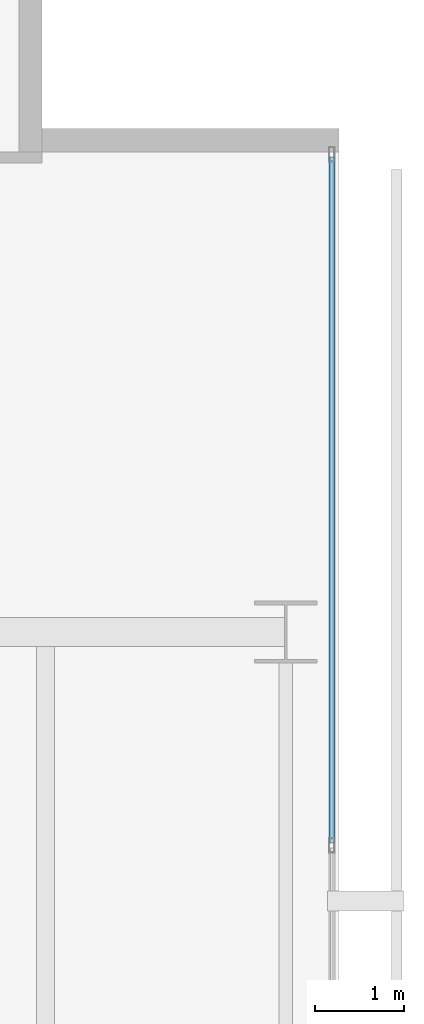
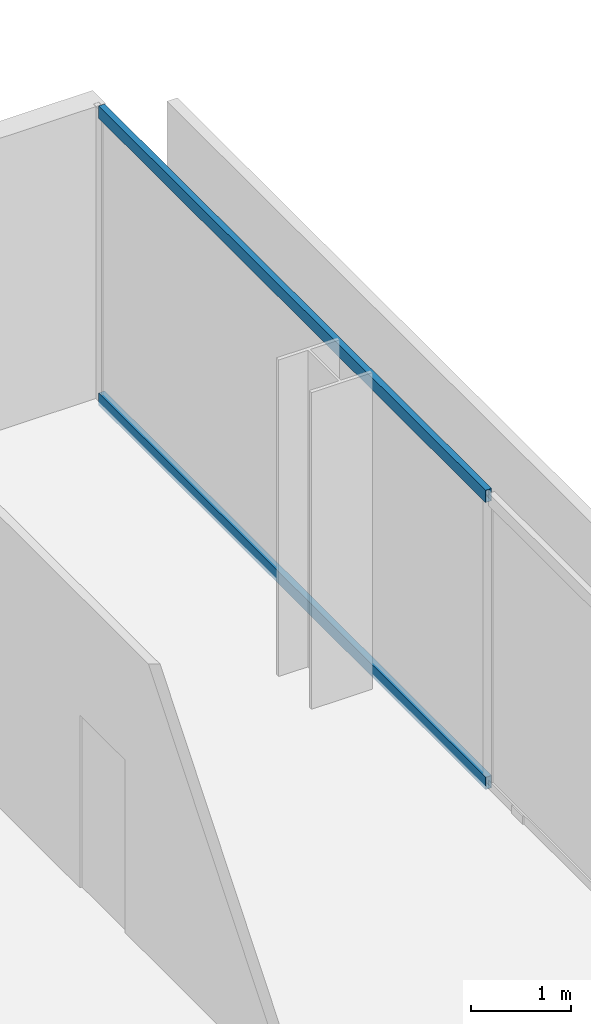
# One storey, part 29 of 39: 2 members, 1 element without a shape of its own.
"""IFC4 building model written with IfcOpenShell, lengths in metres."""

from ifc_helpers import new_model, si_unit, direction, frame, origin, origin_2d, place, context, subcontext, project, spatial, hollow_rectangle, extrude, material, layer, layer_set, material_profile, profile_set, type_object, element, aggregate, save


model = new_model("IFC4")

# Units and contexts
model_context = context("Model", 3, precision=1e-05, world=origin(), true_north=direction((0.0, 1.0)))
body_context = subcontext(model_context, "Body", "Model", "MODEL_VIEW")
ifc_project = project(units=[si_unit("LENGTHUNIT", "METRE"), si_unit("AREAUNIT", "SQUARE_METRE"), si_unit("VOLUMEUNIT", "CUBIC_METRE"), si_unit("PLANEANGLEUNIT", "RADIAN"), si_unit("MASSUNIT", "GRAM", prefix="KILO")], contexts=[model_context])

# Site, building, storey
site_placement = place(None, origin())
site = spatial("IfcSite", under=ifc_project, at=site_placement, CompositionType="ELEMENT")
building_placement = place(site_placement, origin())
building = spatial("IfcBuilding", under=site, at=building_placement, Name="Maruvema Waterfront Hotel and Observation Tower", CompositionType="ELEMENT")
storey_placement = place(building_placement, frame((0.0, 0.0, 111.64990234375)))
storey = spatial("IfcBuildingStorey", under=building, at=storey_placement, Name="L27", CompositionType="ELEMENT", Elevation=111.64990234375)

# Curtain wall, members
ifc_material_1 = material(Name="Anodised bronze aluminium and solar-control low-E IGU", Category="aluminium")
ifc_layer = layer(ifc_material_1, 0.159912109375, Name="Zone 1 Bronze Inner Thermal Curtain Wall System CW-02")
ifc_layer_set = layer_set([ifc_layer], Name="Anodised bronze aluminium and solar-control low-E IGU")
curtain_wall_type = type_object("IfcCurtainWallType", Name="Zone 1 Bronze Inner Thermal Curtain Wall System CW-02", PredefinedType="USERDEFINED", material=ifc_layer_set)
curtain_wall_placement = place(storey_placement, origin())
curtain_wall = element("IfcCurtainWall", 1, at=curtain_wall_placement, inside=storey, type_object=curtain_wall_type, Name="L27 Curtain Wall CW-L27-E", ObjectType="UNITISED CURTAIN WALL", PredefinedType="USERDEFINED")
ifc_material_2 = material(Name="Anodised architectural bronze aluminium", Category="aluminium")
ifc_material_profile = material_profile(ifc_material_2, hollow_rectangle(XDim=0.070068359375, YDim=0.14990234375, WallThickness=0.00390625, at=origin_2d()), Name="ALU-T70x150")
ifc_profile_set = profile_set([ifc_material_profile], Name="Anodised architectural bronze aluminium")
member_type = type_object("IfcMemberType", Name="Curtain Wall Horizontal Transom ALU-T70x150", PredefinedType="USERDEFINED", material=ifc_profile_set)
member_1_placement = place(storey_placement, frame((64.719970703125, 42.6298828125, 0.030029296875), z_axis=(0.0, 1.0, 0.0), x_axis=(-1.0, 0.0, 0.0)))
member_1 = element("IfcMember", 2, at=member_1_placement, type_object=member_type, Name="CW-02 transom 6.1", ObjectType="TRANSOM", PredefinedType="USERDEFINED", context=body_context, shape_type="SweptSolid", body=[
    extrude(hollow_rectangle(XDim=0.070068359375, YDim=0.14990234375, WallThickness=0.00390625, at=origin_2d()), origin(), (0.0, 0.0, 1.0), 7.710205078125),
])
member_2_placement = place(storey_placement, frame((64.719970703125, 42.6298828125, 3.52001953125), z_axis=(0.0, 1.0, 0.0), x_axis=(-1.0, 0.0, 0.0)))
member_2 = element("IfcMember", 3, at=member_2_placement, type_object=member_type, Name="CW-02 transom 6.2", ObjectType="TRANSOM", PredefinedType="USERDEFINED", context=body_context, shape_type="SweptSolid", body=[
    extrude(hollow_rectangle(XDim=0.070068359375, YDim=0.14990234375, WallThickness=0.00390625, at=origin_2d()), origin(), (0.0, 0.0, 1.0), 7.710205078125),
])
aggregate(curtain_wall, [member_1, member_2])

save(model, "model.ifc")
